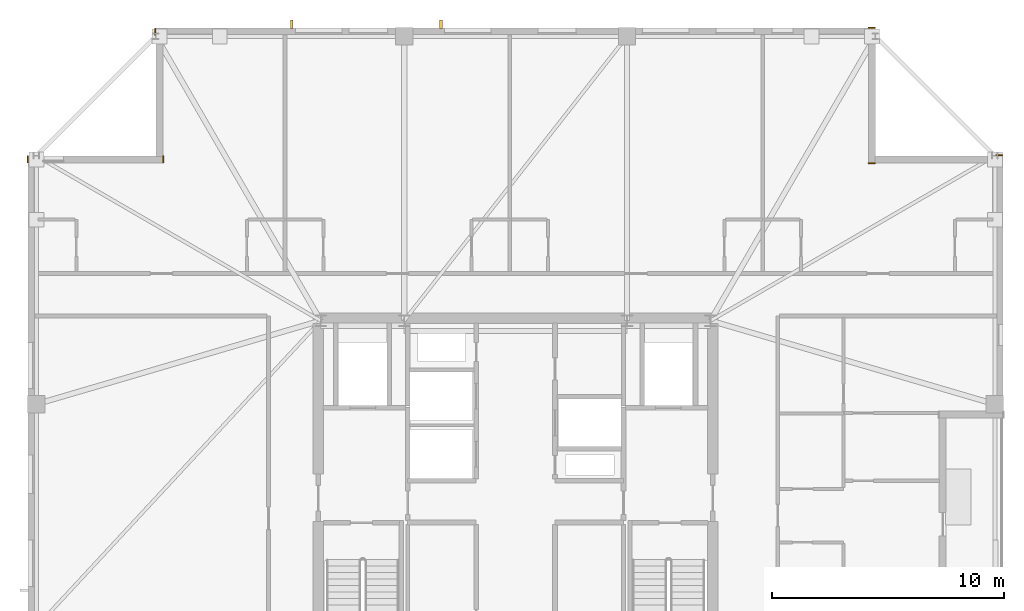
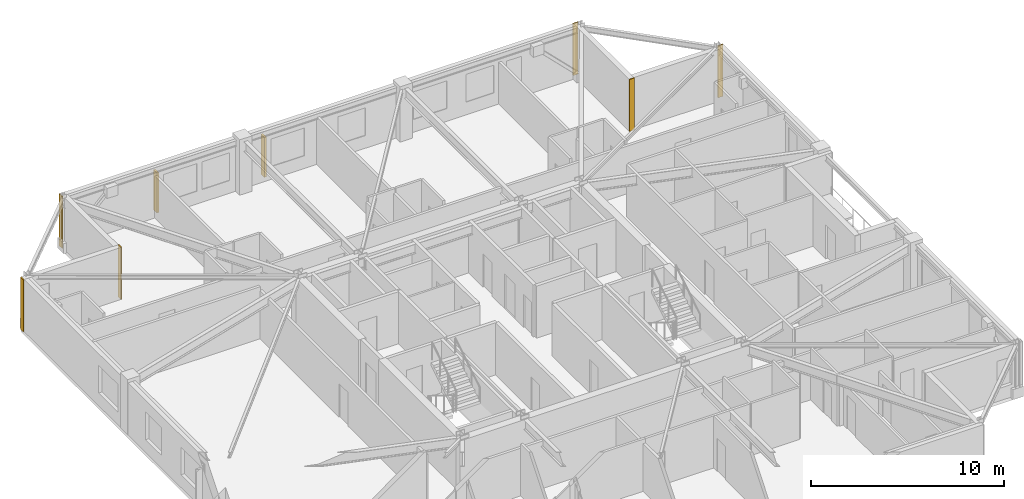
# One storey, part 14 of 14: 6 coverings, 2 shading devices.
"""IFC4 building model written with IfcOpenShell, lengths in metres."""

from ifc_helpers import new_model, si_unit, direction, frame, frame_2d, origin, origin_2d, place, context, subcontext, project, spatial, rectangle, extrude, material, layer, layer_set, type_object, element, save


model = new_model("IFC4")

# Units and contexts
model_context = context("Model", 3, precision=1e-05, world=origin(), true_north=direction((0.0, 1.0)))
body_context = subcontext(model_context, "Body", "Model", "MODEL_VIEW")
ifc_project = project(units=[si_unit("LENGTHUNIT", "METRE"), si_unit("AREAUNIT", "SQUARE_METRE"), si_unit("VOLUMEUNIT", "CUBIC_METRE"), si_unit("PLANEANGLEUNIT", "RADIAN"), si_unit("MASSUNIT", "GRAM", prefix="KILO")], contexts=[model_context])

# Site, building, storey
site_placement = place(None, origin())
site = spatial("IfcSite", under=ifc_project, at=site_placement, CompositionType="ELEMENT")
building_placement = place(site_placement, origin())
building = spatial("IfcBuilding", under=site, at=building_placement, Name="Cairnveth Concourse Tower", CompositionType="ELEMENT")
storey_placement = place(building_placement, frame((0.0, 0.0, 308.5)))
storey = spatial("IfcBuildingStorey", under=building, at=storey_placement, Name="L85", CompositionType="ELEMENT", Elevation=308.5)

# Coverings
ifc_material_1 = material(Name="Dressed Melbourne Bluestone Cladding", Category="masonry")
ifc_layer = layer(ifc_material_1, 0.050048828125)
ifc_layer_set = layer_set([ifc_layer], Name="Dressed Melbourne Bluestone Cladding")
covering_type = type_object("IfcCoveringType", Name="DRESSED BLUESTONE PLINTH CLADDING 50", PredefinedType="CLADDING", material=ifc_layer_set)
for number, where, z_axis, x_axis, name in (
    (1, (30.97998046875, 54.199951171875, 0.0), (0.0, 0.0, 1.0), (0.0, 1.0, 0.0), "Melbourne Bluestone Corner Quoin L85-1298"),
    (2, (36.820068359375, 54.199951171875, 0.0), (0.0, 0.0, 1.0), (0.0, 1.0, 0.0), "Melbourne Bluestone Corner Quoin L85-1299"),
    (3, (36.47998046875, 59.699951171875, 0.0), (0.0, 0.0, 1.0), (0.0, 1.0, 0.0), "Melbourne Bluestone Corner Quoin L85-1300"),
    (4, (67.199951171875, 60.02001953125, 0.0), (0.0, 0.0, 1.0), (1.0, 0.0, 0.0), "Melbourne Bluestone Corner Quoin L85-1301"),
    (5, (67.199951171875, 54.179931640625, 0.0), (0.0, 0.0, 1.0), (1.0, 0.0, 0.0), "Melbourne Bluestone Corner Quoin L85-1302"),
    (6, (72.699951171875, 54.52001953125, 0.0), (0.0, 0.0, 1.0), (1.0, 0.0, 0.0), "Melbourne Bluestone Corner Quoin L85-1303"),
):
    element("IfcCovering", number, at=place(storey_placement, frame(where, z_axis=z_axis, x_axis=x_axis)), inside=storey, type_object=covering_type, Name=name, PredefinedType="CLADDING", context=body_context, shape_type="SweptSolid", body=[
        extrude(rectangle(XDim=0.300048828125, YDim=0.050048828125, at=frame_2d((0.14990234375, 0.0))), origin(), (0.0, 0.0, 1.0), 3.2900390625),
    ])

# Shading devices
ifc_material_2 = material(Name="Architectural Bronze Anodised Aluminium 6063-T6", Category="aluminium")
shading_device_type = type_object("IfcShadingDeviceType", Name="GOTHIC BRONZE VERTICAL LANCET FIN", PredefinedType="USERDEFINED", material=ifc_material_2)
for number, where, z_axis, x_axis, name in (
    (7, (42.3583984375, 60.175048828125, 0.030029296875), (0.0, 0.0, 1.0), (1.0, 0.0, 0.0), "Gothic Bronze Vertical Fin L85-9-1"),
    (8, (48.782470703125, 60.175048828125, 0.030029296875), (0.0, 0.0, 1.0), (1.0, 0.0, 0.0), "Gothic Bronze Vertical Fin L85-9-3"),
):
    element("IfcShadingDevice", number, at=place(storey_placement, frame(where, z_axis=z_axis, x_axis=x_axis)), inside=storey, type_object=shading_device_type, Name=name, ObjectType="VERTICAL FIN", PredefinedType="USERDEFINED", context=body_context, shape_type="SweptSolid", body=[
        extrude(rectangle(XDim=0.1201171875, YDim=0.360107421875, at=origin_2d()), origin(), (0.0, 0.0, 1.0), 2.51806640625),
    ])

save(model, "model.ifc")
